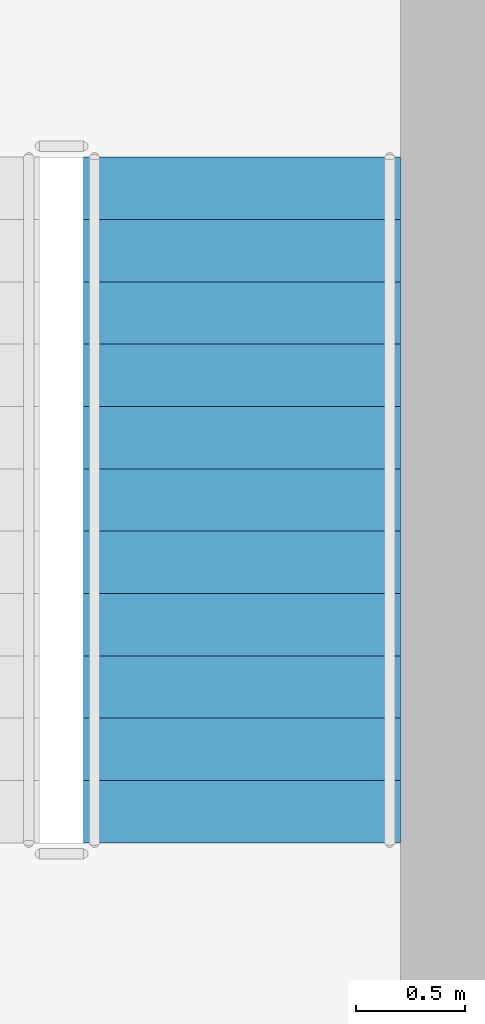
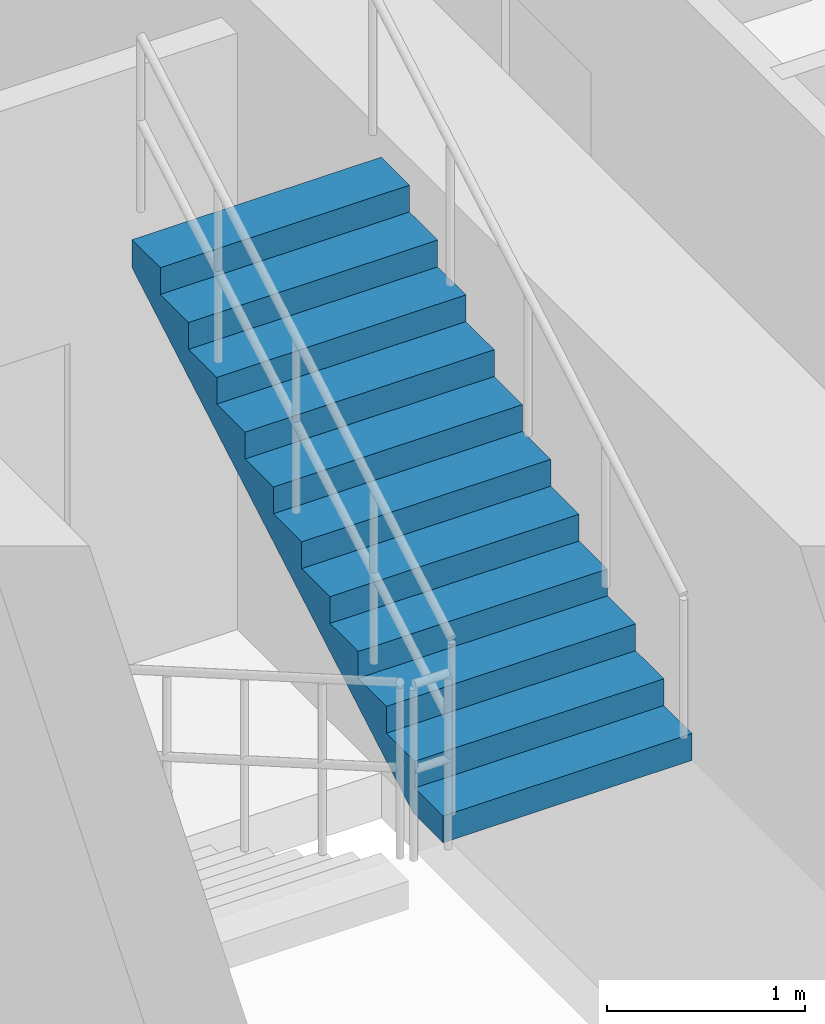
# One storey, part 19 of 21: 1 stair flight, 1 element without a shape of its own.
"""IFC4 building model written with IfcOpenShell, lengths in metres."""

from ifc_helpers import new_model, si_unit, direction, frame, origin, place, context, subcontext, project, spatial, polyline, outline, extrude, material, type_object, element, aggregate, save


model = new_model("IFC4")

# Units and contexts
model_context = context("Model", 3, precision=1e-05, world=origin(), true_north=direction((0.0, 1.0)))
body_context = subcontext(model_context, "Body", "Model", "MODEL_VIEW")
ifc_project = project(units=[si_unit("LENGTHUNIT", "METRE"), si_unit("AREAUNIT", "SQUARE_METRE"), si_unit("VOLUMEUNIT", "CUBIC_METRE"), si_unit("PLANEANGLEUNIT", "RADIAN"), si_unit("MASSUNIT", "GRAM", prefix="KILO")], contexts=[model_context])

# Site, building, storey
site_placement = place(None, origin())
site = spatial("IfcSite", under=ifc_project, at=site_placement, CompositionType="ELEMENT")
building_placement = place(site_placement, origin())
building = spatial("IfcBuilding", under=site, at=building_placement, Name="Krantzveldt Concourse Tower", CompositionType="ELEMENT")
storey_placement = place(building_placement, frame((0.0, 0.0, 347.449951171875)))
storey = spatial("IfcBuildingStorey", under=building, at=storey_placement, Name="L85", CompositionType="ELEMENT", Elevation=347.449951171875)

# Stair, stair flight
ifc_material = material(Name="Precast concrete C40/50", Category="concrete")
stair_type = type_object("IfcStairType", Name="STR-CORE-DOGLEG", PredefinedType="HALF_TURN_STAIR", material=ifc_material)
stair_placement = place(storey_placement, origin())
stair = element("IfcStair", 1, at=stair_placement, inside=storey, type_object=stair_type, Name="L85 Protected Escape Stair ST-2", PredefinedType="HALF_TURN_STAIR")
stair_flight_type = type_object("IfcStairFlightType", Name="STF-CORE-1450", PredefinedType="STRAIGHT", material=ifc_material)
stair_flight_placement = place(storey_placement, frame((42.39501953125, 16.4150390625, 1.97509765625), z_axis=(0.0, 0.0, 1.0), x_axis=(0.0, 1.0, 0.0)))
stair_flight = element("IfcStairFlight", 2, at=stair_flight_placement, type_object=stair_flight_type, Name="ST-2 flight 2", NumberOfRisers=12, NumberOfTreads=11, PredefinedType="STRAIGHT", RiserHeight=0.164583333, TreadLength=0.285, context=body_context, shape_type="SweptSolid", body=[
    extrude(outline(polyline([(0.0, 0.0), (0.0, 0.16455078125), (0.284912109375, 0.16455078125), (0.284912109375, 0.3291015625), (0.570068359375, 0.3291015625), (0.570068359375, 0.49365234375), (0.85498046875, 0.49365234375), (0.85498046875, 0.658447265625), (1.139892578125, 0.658447265625), (1.139892578125, 0.822998046875), (1.425048828125, 0.822998046875), (1.425048828125, 0.987548828125), (1.7099609375, 0.987548828125), (1.7099609375, 1.152099609375), (1.9951171875, 1.152099609375), (1.9951171875, 1.316650390625), (2.280029296875, 1.316650390625), (2.280029296875, 1.481201171875), (2.56494140625, 1.481201171875), (2.56494140625, 1.645751953125), (2.85009765625, 1.645751953125), (2.85009765625, 1.810302734375), (3.135009765625, 1.810302734375), (3.135009765625, 1.97509765625), (3.135009765625, 1.63720703125), (0.2998046875, 0.0), (0.0, 0.0)])), frame((0.0, 0.72509765625, 0.0), z_axis=(0.0, -1.0, 0.0), x_axis=(1.0, 0.0, 0.0)), (0.0, 0.0, 1.0), 1.449951171875),
])
aggregate(stair, [stair_flight])

save(model, "model.ifc")
